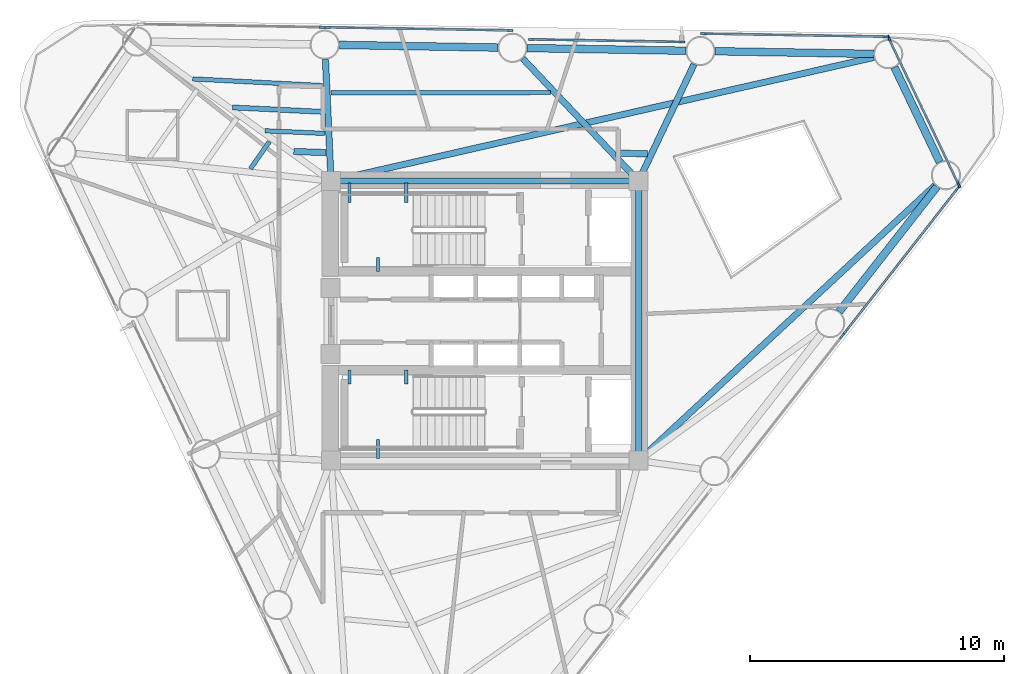
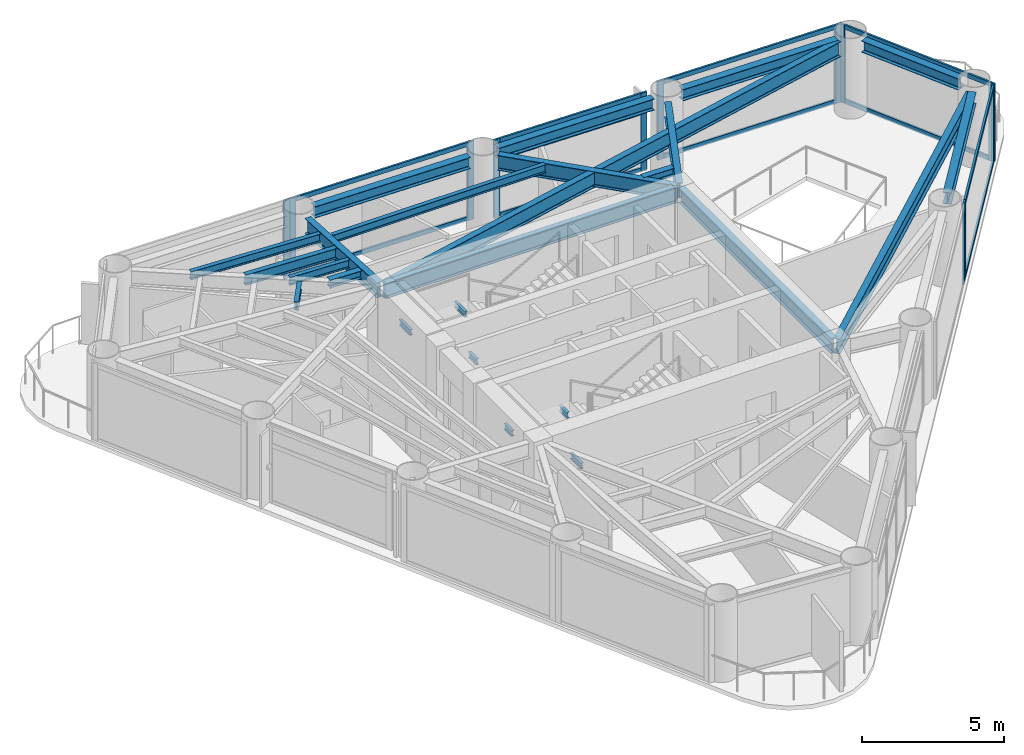
# One storey, part 3 of 9: 25 beams, 23 members, 7 elements without a shape of their own.
"""IFC4 building model written with IfcOpenShell, lengths in metres."""

from ifc_helpers import new_model, si_unit, direction, frame, origin, origin_2d, place, context, subcontext, project, spatial, rectangle, i_section, extrude, source, transform, mapped, material, layer, layer_set, material_profile, profile_set, type_object, element, aggregate, save


model = new_model("IFC4")

# Units and contexts
model_context = context("Model", 3, precision=1e-05, world=origin(), true_north=direction((0.0, 1.0)))
body_context = subcontext(model_context, "Body", "Model", "MODEL_VIEW")
ifc_project = project(units=[si_unit("LENGTHUNIT", "METRE"), si_unit("AREAUNIT", "SQUARE_METRE"), si_unit("VOLUMEUNIT", "CUBIC_METRE"), si_unit("PLANEANGLEUNIT", "RADIAN"), si_unit("MASSUNIT", "GRAM", prefix="KILO")], contexts=[model_context])

# Site, building, storey
site_placement = place(None, origin())
site = spatial("IfcSite", under=ifc_project, at=site_placement, CompositionType="ELEMENT")
building_placement = place(site_placement, origin())
building = spatial("IfcBuilding", under=site, at=building_placement, Name="Yunling Apex Tower", CompositionType="ELEMENT")
storey_placement = place(building_placement, frame((0.0, 0.0, 208.699951171875)))
storey = spatial("IfcBuildingStorey", under=building, at=storey_placement, Name="L51", CompositionType="ELEMENT", Elevation=208.699951171875)

# Beams
ifc_material_1 = material(Name="Steel Q355B", Category="steel")
ifc_material_profile_1 = material_profile(ifc_material_1, i_section(OverallWidth=0.125, OverallDepth=0.25, WebThickness=0.006103515625, FlangeThickness=0.009033203125, FilletRadius=0.011962890625, at=origin_2d()))
ifc_profile_set_1 = profile_set([ifc_material_profile_1], Name="Steel Q355B")
beam_type_1 = type_object("IfcBeamType", Name="BL-LNT-1", PredefinedType="LINTEL", material=ifc_profile_set_1)
shared_shape_1 = source(origin(), body_context, "Body", "SweptSolid", [
    extrude(i_section(OverallWidth=0.125, OverallDepth=0.25, WebThickness=0.006103515625, FlangeThickness=0.009033203125, FilletRadius=0.011962890625, at=origin_2d()), origin(), (0.0, 0.0, 1.0), 0.760009765625),
])
for number, where, z_axis, x_axis, name in (
    (1, (-5.320068359375, 5.419921875, 1.405029296875), (0.0, -1.0, 0.0), (1.0, 0.0, 0.0), "L51 ST-1 Landing Bearing Corbel 1-1"),
    (2, (-3.090087890625, 5.419921875, 1.405029296875), (0.0, -1.0, 0.0), (1.0, 0.0, 0.0), "L51 ST-1 Landing Bearing Corbel 1-2"),
    (3, (-4.205078125, -5.419921875, 1.405029296875), (0.0, 1.0, 0.0), (-1.0, 0.0, 0.0), "L51 ST-2 Landing Bearing Corbel 1-3"),
):
    element("IfcBeam", number, at=place(storey_placement, frame(where, z_axis=z_axis, x_axis=x_axis)), inside=storey, type_object=beam_type_1, Name=name, PredefinedType="LINTEL", context=body_context, shape_type="MappedRepresentation", body=[
        mapped(shared_shape_1, transform((0.0, 0.0, 0.0), scale=1.0)),
    ])
shared_shape_2 = source(origin(), body_context, "Body", "SweptSolid", [
    extrude(i_section(OverallWidth=0.125, OverallDepth=0.25, WebThickness=0.006103515625, FlangeThickness=0.009033203125, FilletRadius=0.011962890625, at=origin_2d()), origin(), (0.0, 0.0, 1.0), 0.550048828125),
])
for number, where, z_axis, x_axis, name in (
    (4, (-4.205078125, 1.93994140625, 1.405029296875), (0.0, 1.0, 0.0), (-1.0, 0.0, 0.0), "L51 ST-1 Landing Bearing Corbel 1-3"),
    (5, (-5.320068359375, -1.93994140625, 1.405029296875), (0.0, -1.0, 0.0), (1.0, 0.0, 0.0), "L51 ST-2 Landing Bearing Corbel 1-1"),
    (6, (-3.090087890625, -1.93994140625, 1.405029296875), (0.0, -1.0, 0.0), (1.0, 0.0, 0.0), "L51 ST-2 Landing Bearing Corbel 1-2"),
):
    element("IfcBeam", number, at=place(storey_placement, frame(where, z_axis=z_axis, x_axis=x_axis)), inside=storey, type_object=beam_type_1, Name=name, PredefinedType="LINTEL", context=body_context, shape_type="MappedRepresentation", body=[
        mapped(shared_shape_2, transform((0.0, 0.0, 0.0), scale=1.0)),
    ])
ifc_material_profile_2 = material_profile(ifc_material_1, i_section(OverallWidth=0.25, OverallDepth=0.64990234375, WebThickness=0.011962890625, FlangeThickness=0.02001953125, FilletRadius=0.02392578125, at=origin_2d()))
ifc_profile_set_2 = profile_set([ifc_material_profile_2], Name="Steel Q355B")
beam_type_2 = type_object("IfcBeamType", Name="BG-PRI-4", PredefinedType="USERDEFINED", material=ifc_profile_set_2)
shared_shape_3 = source(origin(), body_context, "Body", "SweptSolid", [
    extrude(i_section(OverallWidth=0.25, OverallDepth=0.64990234375, WebThickness=0.011962890625, FlangeThickness=0.02001953125, FilletRadius=0.02392578125, at=origin_2d()), origin(), (0.0, 0.0, 1.0), 11.7998046875),
])
beam_1_placement = place(storey_placement, frame((5.89990234375, 5.5, 2.945068359375), z_axis=(-1.0, 0.0, 0.0), x_axis=(0.0, -1.0, 0.0)))
element("IfcBeam", 7, at=beam_1_placement, inside=storey, type_object=beam_type_2, Name="L51 Core Ring Tie Beam 3", ObjectType="GIRDER", PredefinedType="USERDEFINED", context=body_context, shape_type="MappedRepresentation", body=[
    mapped(shared_shape_3, transform((0.0, 0.0, 0.0), scale=1.0)),
])
shared_shape_4 = source(origin(), body_context, "Body", "SweptSolid", [
    extrude(i_section(OverallWidth=0.25, OverallDepth=0.64990234375, WebThickness=0.011962890625, FlangeThickness=0.02001953125, FilletRadius=0.02392578125, at=origin_2d()), origin(), (0.0, 0.0, 1.0), 10.7001953125),
])
beam_2_placement = place(storey_placement, frame((6.050048828125, -5.35009765625, 2.945068359375), z_axis=(0.0, 1.0, 0.0), x_axis=(-1.0, 0.0, 0.0)))
element("IfcBeam", 8, at=beam_2_placement, inside=storey, type_object=beam_type_2, Name="L51 Core Ring Tie Beam 2", ObjectType="GIRDER", PredefinedType="USERDEFINED", context=body_context, shape_type="MappedRepresentation", body=[
    mapped(shared_shape_4, transform((0.0, 0.0, 0.0), scale=1.0)),
])
ifc_material_profile_3 = material_profile(ifc_material_1, i_section(OverallWidth=0.300048828125, OverallDepth=0.489990234375, WebThickness=0.010986328125, FlangeThickness=0.01806640625, FilletRadius=0.02197265625, at=origin_2d()))
ifc_profile_set_3 = profile_set([ifc_material_profile_3], Name="Steel Q355B")
beam_type_3 = type_object("IfcBeamType", Name="BP-SPN-2", PredefinedType="SPANDREL", material=ifc_profile_set_3)
shared_shape_5 = source(origin(), body_context, "Body", "SweptSolid", [
    extrude(i_section(OverallWidth=0.300048828125, OverallDepth=0.489990234375, WebThickness=0.010986328125, FlangeThickness=0.01806640625, FilletRadius=0.02197265625, at=origin_2d()), origin(), (0.0, 0.0, 1.0), 6.252685546875),
])
beam_3_placement = place(storey_placement, frame((13.940185546875, 0.35791015625, 3.025146484375), z_axis=(0.616211399259, 0.787580796759, 0.0), x_axis=(-0.787580796759, 0.616211399259, 0.0)))
element("IfcBeam", 9, at=beam_3_placement, inside=storey, type_object=beam_type_3, Name="L51 Perimeter Spandrel Beam 4", PredefinedType="SPANDREL", context=body_context, shape_type="MappedRepresentation", body=[
    mapped(shared_shape_5, transform((0.0, 0.0, 0.0), scale=1.0)),
])
shared_shape_6 = source(origin(), body_context, "Body", "SweptSolid", [
    extrude(i_section(OverallWidth=0.300048828125, OverallDepth=0.489990234375, WebThickness=0.010986328125, FlangeThickness=0.01806640625, FilletRadius=0.02197265625, at=origin_2d()), origin(), (0.0, 0.0, 1.0), 6.253173828125),
])
for number, where, z_axis, x_axis, name in (
    (10, (15.302978515625, 10.50341796875, 3.025146484375), (-0.999859061432, 0.016788605428, 0.0), (-0.016788605428, -0.999859061432, 0.0), "L51 Perimeter Spandrel Beam 6"),
    (11, (7.9130859375, 10.627197265625, 3.025146484375), (-0.999859061432, 0.016788605428, 0.0), (-0.016788605428, -0.999859061432, 0.0), "L51 Perimeter Spandrel Beam 7"),
    (12, (0.523193359375, 10.751220703125, 3.025146484375), (-0.99985971606, 0.016749573126, 0.0), (-0.016749573126, -0.99985971606, 0.0), "L51 Perimeter Spandrel Beam 8"),
):
    element("IfcBeam", number, at=place(storey_placement, frame(where, z_axis=z_axis, x_axis=x_axis)), inside=storey, type_object=beam_type_3, Name=name, PredefinedType="SPANDREL", context=body_context, shape_type="MappedRepresentation", body=[
        mapped(shared_shape_6, transform((0.0, 0.0, 0.0), scale=1.0)),
    ])
shared_shape_7 = source(origin(), body_context, "Body", "SweptSolid", [
    extrude(i_section(OverallWidth=0.300048828125, OverallDepth=0.489990234375, WebThickness=0.010986328125, FlangeThickness=0.01806640625, FilletRadius=0.02197265625, at=origin_2d()), origin(), (0.0, 0.0, 1.0), 4.139404296875),
])
beam_4_placement = place(storey_placement, frame((17.898681640625, 6.244140625, 3.025146484375), z_axis=(-0.430503573335, 0.902588872824, 0.0), x_axis=(-0.902588872824, -0.430503573335, 0.0)))
element("IfcBeam", 13, at=beam_4_placement, inside=storey, type_object=beam_type_3, Name="L51 Perimeter Spandrel Beam 5", PredefinedType="SPANDREL", context=body_context, shape_type="MappedRepresentation", body=[
    mapped(shared_shape_7, transform((0.0, 0.0, 0.0), scale=1.0)),
])
shared_shape_8 = source(origin(), body_context, "Body", "SweptSolid", [
    extrude(i_section(OverallWidth=0.25, OverallDepth=0.64990234375, WebThickness=0.011962890625, FlangeThickness=0.02001953125, FilletRadius=0.02392578125, at=origin_2d()), origin(), (0.0, 0.0, 1.0), 15.841064453125),
])
beam_5_placement = place(storey_placement, frame((17.716552734375, 5.333984375, 2.945068359375), z_axis=(-0.732769338977, -0.680477108986, 0.0), x_axis=(0.680477108986, -0.732769338977, 0.0)))
element("IfcBeam", 14, at=beam_5_placement, inside=storey, type_object=beam_type_2, Name="L51 Radial Primary Girder R05", ObjectType="GIRDER", PredefinedType="USERDEFINED", context=body_context, shape_type="MappedRepresentation", body=[
    mapped(shared_shape_8, transform((0.0, 0.0, 0.0), scale=1.0)),
])
shared_shape_9 = source(origin(), body_context, "Body", "SweptSolid", [
    extrude(i_section(OverallWidth=0.25, OverallDepth=0.64990234375, WebThickness=0.011962890625, FlangeThickness=0.02001953125, FilletRadius=0.02392578125, at=origin_2d()), origin(), (0.0, 0.0, 1.0), 21.820556640625),
])
beam_6_placement = place(storey_placement, frame((15.303466796875, 10.364501953125, 2.945068359375), z_axis=(-0.975020184512, -0.222116275394, 0.0), x_axis=(0.222116275394, -0.975020184512, 0.0)))
element("IfcBeam", 15, at=beam_6_placement, inside=storey, type_object=beam_type_2, Name="L51 Radial Primary Girder R06", ObjectType="GIRDER", PredefinedType="USERDEFINED", context=body_context, shape_type="MappedRepresentation", body=[
    mapped(shared_shape_9, transform((0.0, 0.0, 0.0), scale=1.0)),
])
shared_shape_10 = source(origin(), body_context, "Body", "SweptSolid", [
    extrude(i_section(OverallWidth=0.25, OverallDepth=0.64990234375, WebThickness=0.011962890625, FlangeThickness=0.02001953125, FilletRadius=0.02392578125, at=origin_2d()), origin(), (0.0, 0.0, 1.0), 5.00341796875),
])
beam_7_placement = place(storey_placement, frame((8.231689453125, 10.09130859375, 2.945068359375), z_axis=(-0.429206106824, -0.903206575411, 0.0), x_axis=(0.903206575411, -0.429206106824, 0.0)))
element("IfcBeam", 16, at=beam_7_placement, inside=storey, type_object=beam_type_2, Name="L51 Radial Primary Girder R07", ObjectType="GIRDER", PredefinedType="USERDEFINED", context=body_context, shape_type="MappedRepresentation", body=[
    mapped(shared_shape_10, transform((0.0, 0.0, 0.0), scale=1.0)),
])
shared_shape_11 = source(origin(), body_context, "Body", "SweptSolid", [
    extrude(i_section(OverallWidth=0.25, OverallDepth=0.64990234375, WebThickness=0.011962890625, FlangeThickness=0.02001953125, FilletRadius=0.02392578125, at=origin_2d()), origin(), (0.0, 0.0, 1.0), 6.552001953125),
])
beam_8_placement = place(storey_placement, frame((1.49267578125, 10.318115234375, 2.945068359375), z_axis=(0.687178062581, -0.726489029723, 0.0), x_axis=(0.726489029723, 0.687178062581, 0.0)))
element("IfcBeam", 17, at=beam_8_placement, inside=storey, type_object=beam_type_2, Name="L51 Radial Primary Girder R08", ObjectType="GIRDER", PredefinedType="USERDEFINED", context=body_context, shape_type="MappedRepresentation", body=[
    mapped(shared_shape_11, transform((0.0, 0.0, 0.0), scale=1.0)),
])
shared_shape_12 = source(origin(), body_context, "Body", "SweptSolid", [
    extrude(i_section(OverallWidth=0.25, OverallDepth=0.64990234375, WebThickness=0.011962890625, FlangeThickness=0.02001953125, FilletRadius=0.02392578125, at=origin_2d()), origin(), (0.0, 0.0, 1.0), 4.70849609375),
])
beam_9_placement = place(storey_placement, frame((-6.27099609375, 10.283203125, 2.945068359375), z_axis=(0.046148548326, -0.998934588193, 0.0), x_axis=(0.998934588193, 0.046148548326, 0.0)))
element("IfcBeam", 18, at=beam_9_placement, inside=storey, type_object=beam_type_2, Name="L51 Radial Primary Girder R09", ObjectType="GIRDER", PredefinedType="USERDEFINED", context=body_context, shape_type="MappedRepresentation", body=[
    mapped(shared_shape_12, transform((0.0, 0.0, 0.0), scale=1.0)),
])
ifc_material_profile_4 = material_profile(ifc_material_1, i_section(OverallWidth=0.25, OverallDepth=0.340087890625, WebThickness=0.009033203125, FlangeThickness=0.013916015625, FilletRadius=0.01806640625, at=origin_2d()))
ifc_profile_set_4 = profile_set([ifc_material_profile_4], Name="Steel Q355B")
beam_type_4 = type_object("IfcBeamType", Name="BJ-JST-2", PredefinedType="JOIST", material=ifc_profile_set_4)
shared_shape_13 = source(origin(), body_context, "Body", "SweptSolid", [
    extrude(i_section(OverallWidth=0.25, OverallDepth=0.340087890625, WebThickness=0.009033203125, FlangeThickness=0.013916015625, FilletRadius=0.01806640625, at=origin_2d()), origin(), (0.0, 0.0, 1.0), 1.23291015625),
])
beam_10_placement = place(storey_placement, frame((6.396728515625, 6.570556640625, 3.10009765625), z_axis=(-0.999688635189, 0.024952608565, 0.0), x_axis=(-0.024952608565, -0.999688635189, 0.0)))
element("IfcBeam", 19, at=beam_10_placement, inside=storey, type_object=beam_type_4, Name="L51 Composite Floor Joist BJ2-7", PredefinedType="JOIST", context=body_context, shape_type="MappedRepresentation", body=[
    mapped(shared_shape_13, transform((0.0, 0.0, 0.0), scale=1.0)),
])
ifc_material_profile_5 = material_profile(ifc_material_1, i_section(OverallWidth=0.175048828125, OverallDepth=0.35009765625, WebThickness=0.007080078125, FlangeThickness=0.010986328125, FilletRadius=0.013916015625, at=origin_2d()))
ifc_profile_set_5 = profile_set([ifc_material_profile_5], Name="Steel Q355B")
beam_type_5 = type_object("IfcBeamType", Name="BJ-JST-1", PredefinedType="JOIST", material=ifc_profile_set_5)
shared_shape_14 = source(origin(), body_context, "Body", "SweptSolid", [
    extrude(i_section(OverallWidth=0.175048828125, OverallDepth=0.35009765625, WebThickness=0.007080078125, FlangeThickness=0.010986328125, FilletRadius=0.013916015625, at=origin_2d()), origin(), (0.0, 0.0, 1.0), 8.643310546875),
])
beam_11_placement = place(storey_placement, frame((2.59326171875, 8.985107421875, 3.094970703125), z_axis=(-0.999997695824, -0.002146705784, 0.0), x_axis=(0.002146705784, -0.999997695824, 0.0)))
element("IfcBeam", 20, at=beam_11_placement, inside=storey, type_object=beam_type_5, Name="L51 Composite Floor Joist BJ1-8", PredefinedType="JOIST", context=body_context, shape_type="MappedRepresentation", body=[
    mapped(shared_shape_14, transform((0.0, 0.0, 0.0), scale=1.0)),
])
ifc_material_profile_6 = material_profile(ifc_material_1, i_section(OverallWidth=0.199951171875, OverallDepth=0.449951171875, WebThickness=0.009033203125, FlangeThickness=0.013916015625, FilletRadius=0.01806640625, at=origin_2d()))
ifc_profile_set_6 = profile_set([ifc_material_profile_6], Name="Steel Q355B")
beam_type_6 = type_object("IfcBeamType", Name="BS-SEC-3", PredefinedType="BEAM", material=ifc_profile_set_6)
shared_shape_15 = source(origin(), body_context, "Body", "SweptSolid", [
    extrude(i_section(OverallWidth=0.199951171875, OverallDepth=0.449951171875, WebThickness=0.009033203125, FlangeThickness=0.013916015625, FilletRadius=0.01806640625, at=origin_2d()), origin(), (0.0, 0.0, 1.0), 3.599853515625),
])
beam_12_placement = place(storey_placement, frame((-6.335205078125, 8.221435546875, 3.045166015625), z_axis=(-0.998820387083, 0.048557536471, 0.0), x_axis=(-0.048557536471, -0.998820387083, 0.0)))
element("IfcBeam", 21, at=beam_12_placement, inside=storey, type_object=beam_type_6, Name="L51 Composite Floor Beam BS-9", PredefinedType="BEAM", context=body_context, shape_type="MappedRepresentation", body=[
    mapped(shared_shape_15, transform((0.0, 0.0, 0.0), scale=1.0)),
])
shared_shape_16 = source(origin(), body_context, "Body", "SweptSolid", [
    extrude(i_section(OverallWidth=0.175048828125, OverallDepth=0.35009765625, WebThickness=0.007080078125, FlangeThickness=0.010986328125, FilletRadius=0.013916015625, at=origin_2d()), origin(), (0.0, 0.0, 1.0), 5.116455078125),
])
beam_13_placement = place(storey_placement, frame((-6.3828125, 9.256591796875, 3.094970703125), z_axis=(-0.998690915519, 0.051151297728, 0.0), x_axis=(-0.051151297728, -0.998690915519, 0.0)))
element("IfcBeam", 22, at=beam_13_placement, inside=storey, type_object=beam_type_5, Name="L51 Composite Floor Joist BJ1-9", PredefinedType="JOIST", context=body_context, shape_type="MappedRepresentation", body=[
    mapped(shared_shape_16, transform((0.0, 0.0, 0.0), scale=1.0)),
])
shared_shape_17 = source(origin(), body_context, "Body", "SweptSolid", [
    extrude(i_section(OverallWidth=0.175048828125, OverallDepth=0.35009765625, WebThickness=0.007080078125, FlangeThickness=0.010986328125, FilletRadius=0.013916015625, at=origin_2d()), origin(), (0.0, 0.0, 1.0), 2.35888671875),
])
beam_14_placement = place(storey_placement, frame((-6.296142578125, 7.374267578125, 3.094970703125), z_axis=(-0.999023067934, 0.044191738321, 0.0), x_axis=(-0.044191738321, -0.999023067934, 0.0)))
element("IfcBeam", 23, at=beam_14_placement, inside=storey, type_object=beam_type_5, Name="L51 Composite Floor Joist BJ3-9", PredefinedType="JOIST", context=body_context, shape_type="MappedRepresentation", body=[
    mapped(shared_shape_17, transform((0.0, 0.0, 0.0), scale=1.0)),
])
shared_shape_18 = source(origin(), body_context, "Body", "SweptSolid", [
    extrude(i_section(OverallWidth=0.25, OverallDepth=0.340087890625, WebThickness=0.009033203125, FlangeThickness=0.013916015625, FilletRadius=0.01806640625, at=origin_2d()), origin(), (0.0, 0.0, 1.0), 1.256103515625),
])
beam_15_placement = place(storey_placement, frame((-6.261474609375, 6.6201171875, 3.10009765625), z_axis=(-0.999394634841, 0.034790283866, 0.0), x_axis=(-0.034790283866, -0.999394634841, 0.0)))
element("IfcBeam", 24, at=beam_15_placement, inside=storey, type_object=beam_type_4, Name="L51 Composite Floor Joist BJ2-9", PredefinedType="JOIST", context=body_context, shape_type="MappedRepresentation", body=[
    mapped(shared_shape_18, transform((0.0, 0.0, 0.0), scale=1.0)),
])
shared_shape_19 = source(origin(), body_context, "Body", "SweptSolid", [
    extrude(i_section(OverallWidth=0.175048828125, OverallDepth=0.35009765625, WebThickness=0.007080078125, FlangeThickness=0.010986328125, FilletRadius=0.013916015625, at=origin_2d()), origin(), (0.0, 0.0, 1.0), 1.29736328125),
])
beam_16_placement = place(storey_placement, frame((-8.478515625, 7.04833984375, 3.094970703125), z_axis=(-0.572590644925, -0.819841419632, 0.0), x_axis=(0.819841419632, -0.572590644925, 0.0)))
element("IfcBeam", 25, at=beam_16_placement, inside=storey, type_object=beam_type_5, Name="L51 Composite Floor Joist BJ3-10", PredefinedType="JOIST", context=body_context, shape_type="MappedRepresentation", body=[
    mapped(shared_shape_19, transform((0.0, 0.0, 0.0), scale=1.0)),
])

# Curtain wall, member
ifc_material_2 = material(Name="Bronze anodised aluminium", Category="aluminium")
ifc_layer = layer(ifc_material_2, 0.239990234375)
ifc_layer_set = layer_set([ifc_layer], Name="Bronze anodised aluminium")
curtain_wall_type = type_object("IfcCurtainWallType", Name="CW-SYS-3", PredefinedType="NOTDEFINED", material=ifc_layer_set)
curtain_wall_1_placement = place(storey_placement, origin())
curtain_wall_1 = element("IfcCurtainWall", 26, at=curtain_wall_1_placement, inside=storey, type_object=curtain_wall_type, Name="CW-L51-F1-B3", PredefinedType="NOTDEFINED")
ifc_material_profile_7 = material_profile(ifc_material_2, rectangle(XDim=0.080078125, YDim=0.239990234375, at=origin_2d()))
ifc_profile_set_7 = profile_set([ifc_material_profile_7], Name="Bronze anodised aluminium")
member_type_1 = type_object("IfcMemberType", Name="CW-MUL-3", PredefinedType="MULLION", material=ifc_profile_set_7)
shared_shape_20 = source(origin(), body_context, "Body", "SweptSolid", [
    extrude(rectangle(XDim=0.080078125, YDim=0.239990234375, at=origin_2d()), origin(), (0.0, 0.0, 1.0), 3.3701171875),
])
member_1_placement = place(storey_placement, frame((14.051025390625, -0.603759765625, -0.050048828125), z_axis=(0.0, 0.0, 1.0), x_axis=(-0.787589332433, 0.616200489644, 0.0)))
member_1 = element("IfcMember", 27, at=member_1_placement, type_object=member_type_1, Name="CW-SYS-3 mullion 2", PredefinedType="MULLION", context=body_context, shape_type="MappedRepresentation", body=[
    mapped(shared_shape_20, transform((0.0, 0.0, 0.0), scale=1.0)),
])
aggregate(curtain_wall_1, [member_1])

# Curtain wall, members
curtain_wall_2_placement = place(storey_placement, origin())
curtain_wall_2 = element("IfcCurtainWall", 28, at=curtain_wall_2_placement, inside=storey, type_object=curtain_wall_type, Name="CW-L51-F1-B4", PredefinedType="NOTDEFINED")
member_2_placement = place(storey_placement, frame((14.198974609375, -0.414794921875, -0.050048828125), z_axis=(0.0, 0.0, 1.0), x_axis=(-0.787589332433, 0.616200489644, 0.0)))
member_2 = element("IfcMember", 29, at=member_2_placement, type_object=member_type_1, Name="CW-SYS-3 mullion 1", PredefinedType="MULLION", context=body_context, shape_type="MappedRepresentation", body=[
    mapped(shared_shape_20, transform((0.0, 0.0, 0.0), scale=1.0)),
])
member_3_placement = place(storey_placement, frame((18.60546875, 5.21728515625, -0.050048828125), z_axis=(0.0, 0.0, 1.0), x_axis=(-0.787589332433, 0.616200489644, 0.0)))
member_3 = element("IfcMember", 30, at=member_3_placement, type_object=member_type_1, Name="CW-SYS-3 mullion 2", PredefinedType="MULLION", context=body_context, shape_type="MappedRepresentation", body=[
    mapped(shared_shape_20, transform((0.0, 0.0, 0.0), scale=1.0)),
])

curtain_wall_3_placement = place(storey_placement, origin())
curtain_wall_3 = element("IfcCurtainWall", 31, at=curtain_wall_3_placement, inside=storey, type_object=curtain_wall_type, Name="CW-L51-CRN1", PredefinedType="NOTDEFINED")
member_4_placement = place(storey_placement, frame((18.646484375, 5.360107421875, -0.050048828125), z_axis=(0.0, 0.0, 1.0), x_axis=(-0.902577581426, -0.430527245951, 0.0)))
member_4 = element("IfcMember", 32, at=member_4_placement, type_object=member_type_1, Name="CW-SYS-3 mullion 1", PredefinedType="MULLION", context=body_context, shape_type="MappedRepresentation", body=[
    mapped(shared_shape_20, transform((0.0, 0.0, 0.0), scale=1.0)),
])
member_5_placement = place(storey_placement, frame((15.89990234375, 11.11767578125, -0.050048828125), z_axis=(0.0, 0.0, 1.0), x_axis=(-0.902577581426, -0.430527245951, 0.0)))
member_5 = element("IfcMember", 33, at=member_5_placement, type_object=member_type_1, Name="CW-SYS-3 mullion 2", PredefinedType="MULLION", context=body_context, shape_type="MappedRepresentation", body=[
    mapped(shared_shape_20, transform((0.0, 0.0, 0.0), scale=1.0)),
])

curtain_wall_4_placement = place(storey_placement, origin())
curtain_wall_4 = element("IfcCurtainWall", 34, at=curtain_wall_4_placement, inside=storey, type_object=curtain_wall_type, Name="CW-L51-F2-B1", PredefinedType="NOTDEFINED")
member_6_placement = place(storey_placement, frame((15.76318359375, 11.17578125, -0.050048828125), z_axis=(0.0, 0.0, 1.0), x_axis=(-0.016761362354, -0.999859518498, 0.0)))
member_6 = element("IfcMember", 35, at=member_6_placement, type_object=member_type_1, Name="CW-SYS-3 mullion 1", PredefinedType="MULLION", context=body_context, shape_type="MappedRepresentation", body=[
    mapped(shared_shape_20, transform((0.0, 0.0, 0.0), scale=1.0)),
])
member_7_placement = place(storey_placement, frame((8.61328125, 11.295654296875, -0.050048828125), z_axis=(0.0, 0.0, 1.0), x_axis=(-0.016761362354, -0.999859518498, 0.0)))
member_7 = element("IfcMember", 36, at=member_7_placement, type_object=member_type_1, Name="CW-SYS-3 mullion 2", PredefinedType="MULLION", context=body_context, shape_type="MappedRepresentation", body=[
    mapped(shared_shape_20, transform((0.0, 0.0, 0.0), scale=1.0)),
])

curtain_wall_5_placement = place(storey_placement, origin())
curtain_wall_5 = element("IfcCurtainWall", 37, at=curtain_wall_5_placement, inside=storey, type_object=curtain_wall_type, Name="CW-L51-F2-B2", PredefinedType="NOTDEFINED")
member_8_placement = place(storey_placement, frame((7.747802734375, 10.97021484375, -0.050048828125), z_axis=(0.0, 0.0, 1.0), x_axis=(-0.016758635119, -0.999859564213, 0.0)))
member_8 = element("IfcMember", 38, at=member_8_placement, type_object=member_type_1, Name="CW-SYS-3 mullion 1", PredefinedType="MULLION", context=body_context, shape_type="MappedRepresentation", body=[
    mapped(shared_shape_20, transform((0.0, 0.0, 0.0), scale=1.0)),
])
member_9_placement = place(storey_placement, frame((1.837646484375, 11.0693359375, -0.050048828125), z_axis=(0.0, 0.0, 1.0), x_axis=(-0.016758635119, -0.999859564213, 0.0)))
member_9 = element("IfcMember", 39, at=member_9_placement, type_object=member_type_1, Name="CW-SYS-3 mullion 2", PredefinedType="MULLION", context=body_context, shape_type="MappedRepresentation", body=[
    mapped(shared_shape_20, transform((0.0, 0.0, 0.0), scale=1.0)),
])

curtain_wall_6_placement = place(storey_placement, origin())
curtain_wall_6 = element("IfcCurtainWall", 40, at=curtain_wall_6_placement, inside=storey, type_object=curtain_wall_type, Name="CW-L51-F2-B3", PredefinedType="NOTDEFINED")
member_10_placement = place(storey_placement, frame((0.9833984375, 11.423583984375, -0.050048828125), z_axis=(0.0, 0.0, 1.0), x_axis=(-0.016747305141, -0.999859754051, 0.0)))
member_10 = element("IfcMember", 41, at=member_10_placement, type_object=member_type_1, Name="CW-SYS-3 mullion 1", PredefinedType="MULLION", context=body_context, shape_type="MappedRepresentation", body=[
    mapped(shared_shape_20, transform((0.0, 0.0, 0.0), scale=1.0)),
])
member_11_placement = place(storey_placement, frame((-6.16650390625, 11.54345703125, -0.050048828125), z_axis=(0.0, 0.0, 1.0), x_axis=(-0.016747305141, -0.999859754051, 0.0)))
member_11 = element("IfcMember", 42, at=member_11_placement, type_object=member_type_1, Name="CW-SYS-3 mullion 2", PredefinedType="MULLION", context=body_context, shape_type="MappedRepresentation", body=[
    mapped(shared_shape_20, transform((0.0, 0.0, 0.0), scale=1.0)),
])

# Curtain wall, member
curtain_wall_7_placement = place(storey_placement, origin())
curtain_wall_7 = element("IfcCurtainWall", 43, at=curtain_wall_7_placement, inside=storey, type_object=curtain_wall_type, Name="CW-L51-F2-B4", PredefinedType="NOTDEFINED")
member_12_placement = place(storey_placement, frame((-6.406494140625, 11.54736328125, -0.050048828125), z_axis=(0.0, 0.0, 1.0), x_axis=(-0.016761362354, -0.999859518498, 0.0)))
member_12 = element("IfcMember", 44, at=member_12_placement, type_object=member_type_1, Name="CW-SYS-3 mullion 1", PredefinedType="MULLION", context=body_context, shape_type="MappedRepresentation", body=[
    mapped(shared_shape_20, transform((0.0, 0.0, 0.0), scale=1.0)),
])
aggregate(curtain_wall_7, [member_12])

# Member
ifc_material_profile_8 = material_profile(ifc_material_2, rectangle(XDim=0.080078125, YDim=0.18505859375, at=origin_2d()))
ifc_profile_set_8 = profile_set([ifc_material_profile_8], Name="Bronze anodised aluminium")
member_type_2 = type_object("IfcMemberType", Name="CW-TRN-3", PredefinedType="USERDEFINED", material=ifc_profile_set_8)
shared_shape_21 = source(origin(), body_context, "Body", "SweptSolid", [
    extrude(rectangle(XDim=0.080078125, YDim=0.18505859375, at=origin_2d()), origin(), (0.0, 0.0, 1.0), 5.8388671875),
])
member_13_placement = place(storey_placement, frame((7.7119140625, 10.970703125, 0.0400390625), z_axis=(-0.99985942793, 0.016766764128, 0.0), x_axis=(-0.016766764128, -0.99985942793, 0.0)))
member_13 = element("IfcMember", 45, at=member_13_placement, type_object=member_type_2, Name="CW-SYS-3 transom 1.1", ObjectType="TRANSOM", PredefinedType="USERDEFINED", context=body_context, shape_type="MappedRepresentation", body=[
    mapped(shared_shape_21, transform((0.0, 0.0, 0.0), scale=1.0)),
])

member_14_placement = place(storey_placement, frame((7.7119140625, 10.970703125, 2.4853515625), z_axis=(-0.99985942793, 0.016766764128, 0.0), x_axis=(-0.016766764128, -0.99985942793, 0.0)))
member_14 = element("IfcMember", 46, at=member_14_placement, type_object=member_type_2, Name="CW-SYS-3 transom 1.2", ObjectType="TRANSOM", PredefinedType="USERDEFINED", context=body_context, shape_type="MappedRepresentation", body=[
    mapped(shared_shape_21, transform((0.0, 0.0, 0.0), scale=1.0)),
])

member_15_placement = place(storey_placement, frame((7.7119140625, 10.970703125, 3.22998046875), z_axis=(-0.99985942793, 0.016766764128, 0.0), x_axis=(-0.016766764128, -0.99985942793, 0.0)))
member_15 = element("IfcMember", 47, at=member_15_placement, type_object=member_type_2, Name="CW-SYS-3 transom 1.3", ObjectType="TRANSOM", PredefinedType="USERDEFINED", context=body_context, shape_type="MappedRepresentation", body=[
    mapped(shared_shape_21, transform((0.0, 0.0, 0.0), scale=1.0)),
])

aggregate(curtain_wall_5, [member_8, member_9, member_13, member_14, member_15])

shared_shape_22 = source(origin(), body_context, "Body", "SweptSolid", [
    extrude(rectangle(XDim=0.080078125, YDim=0.18505859375, at=origin_2d()), origin(), (0.0, 0.0, 1.0), 7.0791015625),
])
member_16_placement = place(storey_placement, frame((14.22119140625, -0.386474609375, 0.0400390625), z_axis=(0.616192015574, 0.78759596237, 0.0), x_axis=(-0.78759596237, 0.616192015574, 0.0)))
member_16 = element("IfcMember", 48, at=member_16_placement, type_object=member_type_2, Name="CW-SYS-3 transom 1.1", ObjectType="TRANSOM", PredefinedType="USERDEFINED", context=body_context, shape_type="MappedRepresentation", body=[
    mapped(shared_shape_22, transform((0.0, 0.0, 0.0), scale=1.0)),
])

member_17_placement = place(storey_placement, frame((14.22119140625, -0.386474609375, 3.22998046875), z_axis=(0.616192015574, 0.78759596237, 0.0), x_axis=(-0.78759596237, 0.616192015574, 0.0)))
member_17 = element("IfcMember", 49, at=member_17_placement, type_object=member_type_2, Name="CW-SYS-3 transom 1.2", ObjectType="TRANSOM", PredefinedType="USERDEFINED", context=body_context, shape_type="MappedRepresentation", body=[
    mapped(shared_shape_22, transform((0.0, 0.0, 0.0), scale=1.0)),
])

aggregate(curtain_wall_2, [member_2, member_3, member_16, member_17])

member_18_placement = place(storey_placement, frame((15.727294921875, 11.176513671875, 0.0400390625), z_axis=(-0.999859526413, 0.01676089024, 0.0), x_axis=(-0.01676089024, -0.999859526413, 0.0)))
member_18 = element("IfcMember", 50, at=member_18_placement, type_object=member_type_2, Name="CW-SYS-3 transom 1.1", ObjectType="TRANSOM", PredefinedType="USERDEFINED", context=body_context, shape_type="MappedRepresentation", body=[
    mapped(shared_shape_22, transform((0.0, 0.0, 0.0), scale=1.0)),
])

member_19_placement = place(storey_placement, frame((15.727294921875, 11.176513671875, 3.22998046875), z_axis=(-0.999859526413, 0.01676089024, 0.0), x_axis=(-0.01676089024, -0.999859526413, 0.0)))
member_19 = element("IfcMember", 51, at=member_19_placement, type_object=member_type_2, Name="CW-SYS-3 transom 1.2", ObjectType="TRANSOM", PredefinedType="USERDEFINED", context=body_context, shape_type="MappedRepresentation", body=[
    mapped(shared_shape_22, transform((0.0, 0.0, 0.0), scale=1.0)),
])

aggregate(curtain_wall_4, [member_6, member_7, member_18, member_19])

member_20_placement = place(storey_placement, frame((0.947509765625, 11.42431640625, 0.0400390625), z_axis=(-0.999860103777, 0.01672641247, 0.0), x_axis=(-0.01672641247, -0.999860103777, 0.0)))
member_20 = element("IfcMember", 52, at=member_20_placement, type_object=member_type_2, Name="CW-SYS-3 transom 1.1", ObjectType="TRANSOM", PredefinedType="USERDEFINED", context=body_context, shape_type="MappedRepresentation", body=[
    mapped(shared_shape_22, transform((0.0, 0.0, 0.0), scale=1.0)),
])

member_21_placement = place(storey_placement, frame((0.947509765625, 11.42431640625, 3.22998046875), z_axis=(-0.999860103777, 0.01672641247, 0.0), x_axis=(-0.01672641247, -0.999860103777, 0.0)))
member_21 = element("IfcMember", 53, at=member_21_placement, type_object=member_type_2, Name="CW-SYS-3 transom 1.2", ObjectType="TRANSOM", PredefinedType="USERDEFINED", context=body_context, shape_type="MappedRepresentation", body=[
    mapped(shared_shape_22, transform((0.0, 0.0, 0.0), scale=1.0)),
])

aggregate(curtain_wall_6, [member_10, member_11, member_20, member_21])

shared_shape_23 = source(origin(), body_context, "Body", "SweptSolid", [
    extrude(rectangle(XDim=0.080078125, YDim=0.18505859375, at=origin_2d()), origin(), (0.0, 0.0, 1.0), 6.30712890625),
])
member_22_placement = place(storey_placement, frame((18.630859375, 5.392578125, 0.0400390625), z_axis=(-0.430522496716, 0.902579846784, 0.0), x_axis=(-0.902579846784, -0.430522496716, 0.0)))
member_22 = element("IfcMember", 54, at=member_22_placement, type_object=member_type_2, Name="CW-SYS-3 transom 1.1", ObjectType="TRANSOM", PredefinedType="USERDEFINED", context=body_context, shape_type="MappedRepresentation", body=[
    mapped(shared_shape_23, transform((0.0, 0.0, 0.0), scale=1.0)),
])

member_23_placement = place(storey_placement, frame((18.630859375, 5.392578125, 3.22998046875), z_axis=(-0.430522496716, 0.902579846784, 0.0), x_axis=(-0.902579846784, -0.430522496716, 0.0)))
member_23 = element("IfcMember", 55, at=member_23_placement, type_object=member_type_2, Name="CW-SYS-3 transom 1.2", ObjectType="TRANSOM", PredefinedType="USERDEFINED", context=body_context, shape_type="MappedRepresentation", body=[
    mapped(shared_shape_23, transform((0.0, 0.0, 0.0), scale=1.0)),
])

aggregate(curtain_wall_3, [member_4, member_5, member_22, member_23])

save(model, "model.ifc")
